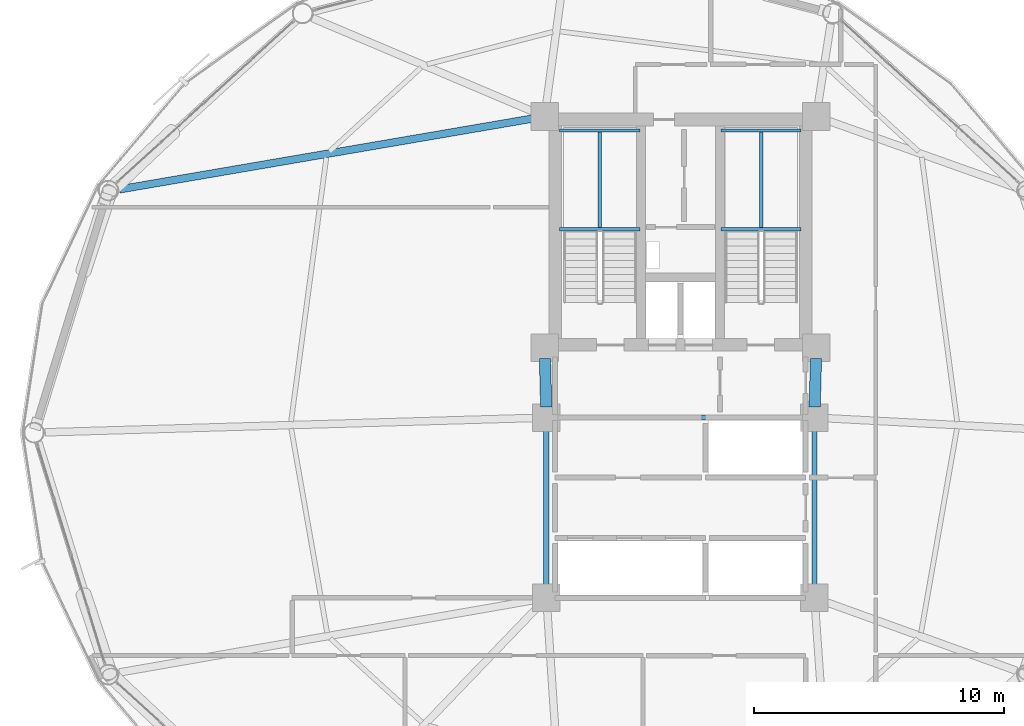
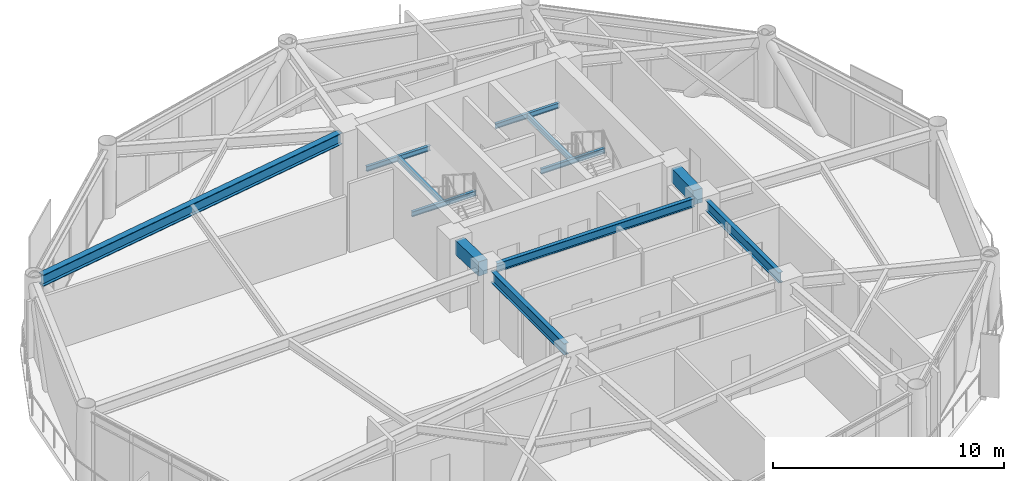
# One storey, part 11 of 24: 12 beams.
"""IFC4 building model written with IfcOpenShell, lengths in metres."""

from ifc_helpers import new_model, si_unit, direction, frame, origin, origin_2d, place, context, subcontext, project, spatial, rectangle, i_section, extrude, material, material_profile, profile_set, type_object, element, save


model = new_model("IFC4")

# Units and contexts
model_context = context("Model", 3, precision=1e-05, world=origin(), true_north=direction((0.0, 1.0)))
body_context = subcontext(model_context, "Body", "Model", "MODEL_VIEW")
ifc_project = project(units=[si_unit("LENGTHUNIT", "METRE"), si_unit("AREAUNIT", "SQUARE_METRE"), si_unit("VOLUMEUNIT", "CUBIC_METRE"), si_unit("PLANEANGLEUNIT", "RADIAN"), si_unit("MASSUNIT", "GRAM", prefix="KILO")], contexts=[model_context])

# Site, building, storey
site_placement = place(None, origin())
site = spatial("IfcSite", under=ifc_project, at=site_placement, CompositionType="ELEMENT")
building_placement = place(site_placement, origin())
building = spatial("IfcBuilding", under=site, at=building_placement, Name="Varnakorn Sky Granary", CompositionType="ELEMENT")
storey_placement = place(building_placement, frame((0.0, 0.0, 118.800048828125)))
storey = spatial("IfcBuildingStorey", under=building, at=storey_placement, Name="L29", CompositionType="ELEMENT", Elevation=118.800048828125)

# Beams
ifc_material_1 = material(Name="Steel S355JR", Category="steel")
ifc_material_profile_1 = material_profile(ifc_material_1, i_section(OverallWidth=0.2099609375, OverallDepth=0.550048828125, WebThickness=0.010986328125, FlangeThickness=0.01708984375, at=origin_2d()), Name="IPE 550")
ifc_profile_set_1 = profile_set([ifc_material_profile_1], Name="Steel S355JR")
beam_type_1 = type_object("IfcBeamType", Name="BM-JST-550", PredefinedType="JOIST", material=ifc_profile_set_1)
beam_1_placement = place(storey_placement, frame((8.35009765625, 0.179931640625, 3.364990234375), z_axis=(0.0, -1.0, 0.0), x_axis=(1.0, 0.0, 0.0)))
element("IfcBeam", 1, at=beam_1_placement, inside=storey, type_object=beam_type_1, Name="Core Spine Framing Beam 4 L29", PredefinedType="JOIST", context=body_context, shape_type="SweptSolid", body=[
    extrude(i_section(OverallWidth=0.2099609375, OverallDepth=0.550048828125, WebThickness=0.010986328125, FlangeThickness=0.01708984375, at=origin_2d()), origin(), (0.0, 0.0, 1.0), 6.35986328125),
])
ifc_material_profile_2 = material_profile(ifc_material_1, i_section(OverallWidth=0.219970703125, OverallDepth=0.60009765625, WebThickness=0.011962890625, FlangeThickness=0.01904296875, at=origin_2d()), Name="IPE 600")
ifc_profile_set_2 = profile_set([ifc_material_profile_2], Name="Steel S355JR")
beam_type_2 = type_object("IfcBeamType", Name="BM-JST-600", PredefinedType="JOIST", material=ifc_profile_set_2)
beam_2_placement = place(storey_placement, frame((-2.35009765625, 0.179931640625, 3.33984375), z_axis=(0.0, -1.0, 0.0), x_axis=(1.0, 0.0, 0.0)))
element("IfcBeam", 2, at=beam_2_placement, inside=storey, type_object=beam_type_2, Name="Core Spine Framing Beam 3 L29", PredefinedType="JOIST", context=body_context, shape_type="SweptSolid", body=[
    extrude(i_section(OverallWidth=0.219970703125, OverallDepth=0.60009765625, WebThickness=0.011962890625, FlangeThickness=0.01904296875, at=origin_2d()), origin(), (0.0, 0.0, 1.0), 6.35986328125),
])
ifc_material_2 = material(Name="Concrete C60/75", Category="concrete")
ifc_material_profile_3 = material_profile(ifc_material_2, rectangle(XDim=0.449951171875, YDim=0.75, at=origin_2d()), Name="RC 450x750")
ifc_profile_set_3 = profile_set([ifc_material_profile_3], Name="Concrete C60/75")
beam_type_3 = type_object("IfcBeamType", Name="BM-LIN-750", PredefinedType="LINTEL", material=ifc_profile_set_3)
for number, where, z_axis, x_axis, name in (
    (3, (-2.409423828125, 2.960205078125, 3.264892578125), (0.025158763514, -0.999683468213, 0.0), (0.999683468213, 0.025158763514, 0.0), "Core Spine Framing Beam 1 L29"),
    (4, (8.409423828125, 2.960205078125, 3.264892578125), (-0.025158763514, -0.999683468213, 0.0), (0.999683468213, -0.025158763514, 0.0), "Core Spine Framing Beam 2 L29"),
):
    element("IfcBeam", number, at=place(storey_placement, frame(where, z_axis=z_axis, x_axis=x_axis)), inside=storey, type_object=beam_type_3, Name=name, PredefinedType="LINTEL", context=body_context, shape_type="SweptSolid", body=[
        extrude(rectangle(XDim=0.449951171875, YDim=0.75, at=origin_2d()), origin(), (0.0, 0.0, 1.0), 1.94091796875),
    ])
ifc_material_profile_4 = material_profile(ifc_material_1, i_section(OverallWidth=0.135009765625, OverallDepth=0.27001953125, WebThickness=0.006591796875, FlangeThickness=0.01025390625, at=origin_2d()), Name="IPE 270")
ifc_profile_set_4 = profile_set([ifc_material_profile_4], Name="Steel S355JR")
beam_type_4 = type_object("IfcBeamType", Name="BM-LND-270", PredefinedType="BEAM", material=ifc_profile_set_4)
for number, where, z_axis, x_axis, name in (
    (5, (-1.820068359375, 8.1201171875, 1.614990234375), (1.0, 0.0, 0.0), (0.0, 1.0, 0.0), "Stair ST-1 Landing Trimmer Beam A L29-1"),
    (6, (-1.820068359375, 12.06005859375, 1.614990234375), (1.0, 0.0, 0.0), (0.0, 1.0, 0.0), "Stair ST-1 Landing Trimmer Beam B L29-1"),
):
    element("IfcBeam", number, at=place(storey_placement, frame(where, z_axis=z_axis, x_axis=x_axis)), inside=storey, type_object=beam_type_4, Name=name, PredefinedType="BEAM", context=body_context, shape_type="SweptSolid", body=[
        extrude(i_section(OverallWidth=0.135009765625, OverallDepth=0.27001953125, WebThickness=0.006591796875, FlangeThickness=0.01025390625, at=origin_2d()), origin(), (0.0, 0.0, 1.0), 3.199951171875),
    ])
beam_3_placement = place(storey_placement, frame((-0.219970703125, 8.1201171875, 1.614990234375), z_axis=(0.0, 1.0, 0.0), x_axis=(-1.0, 0.0, 0.0)))
element("IfcBeam", 7, at=beam_3_placement, inside=storey, type_object=beam_type_4, Name="Stair ST-1 Landing Cross Beam C L29-1", PredefinedType="BEAM", context=body_context, shape_type="SweptSolid", body=[
    extrude(i_section(OverallWidth=0.135009765625, OverallDepth=0.27001953125, WebThickness=0.006591796875, FlangeThickness=0.01025390625, at=origin_2d()), origin(), (0.0, 0.0, 1.0), 3.93994140625),
])
for number, where, z_axis, x_axis, name in (
    (8, (4.6201171875, 8.1201171875, 1.614990234375), (1.0, 0.0, 0.0), (0.0, 1.0, 0.0), "Stair ST-2 Landing Trimmer Beam A L29-1"),
    (9, (4.6201171875, 12.06005859375, 1.614990234375), (1.0, 0.0, 0.0), (0.0, 1.0, 0.0), "Stair ST-2 Landing Trimmer Beam B L29-1"),
):
    element("IfcBeam", number, at=place(storey_placement, frame(where, z_axis=z_axis, x_axis=x_axis)), inside=storey, type_object=beam_type_4, Name=name, PredefinedType="BEAM", context=body_context, shape_type="SweptSolid", body=[
        extrude(i_section(OverallWidth=0.135009765625, OverallDepth=0.27001953125, WebThickness=0.006591796875, FlangeThickness=0.01025390625, at=origin_2d()), origin(), (0.0, 0.0, 1.0), 3.199951171875),
    ])
beam_4_placement = place(storey_placement, frame((6.219970703125, 8.1201171875, 1.614990234375), z_axis=(0.0, 1.0, 0.0), x_axis=(-1.0, 0.0, 0.0)))
element("IfcBeam", 10, at=beam_4_placement, inside=storey, type_object=beam_type_4, Name="Stair ST-2 Landing Cross Beam C L29-1", PredefinedType="BEAM", context=body_context, shape_type="SweptSolid", body=[
    extrude(i_section(OverallWidth=0.135009765625, OverallDepth=0.27001953125, WebThickness=0.006591796875, FlangeThickness=0.01025390625, at=origin_2d()), origin(), (0.0, 0.0, 1.0), 3.93994140625),
])
ifc_material_profile_5 = material_profile(ifc_material_1, i_section(OverallWidth=0.300048828125, OverallDepth=0.60009765625, WebThickness=0.015380859375, FlangeThickness=0.030029296875, at=origin_2d()), Name="HE 600 B")
ifc_profile_set_5 = profile_set([ifc_material_profile_5], Name="Steel S355JR")
beam_type_5 = type_object("IfcBeamType", Name="BM-RAD-Z2", PredefinedType="BEAM", material=ifc_profile_set_5)
beam_5_placement = place(storey_placement, frame((-2.833984375, 12.549072265625, 3.33984375), z_axis=(-0.98562052692, -0.168973894181, 0.0), x_axis=(0.168973894181, -0.98562052692, 0.0)))
element("IfcBeam", 11, at=beam_5_placement, inside=storey, type_object=beam_type_5, Name="Radial Floor Girder RG06 L29", PredefinedType="BEAM", context=body_context, shape_type="SweptSolid", body=[
    extrude(i_section(OverallWidth=0.300048828125, OverallDepth=0.60009765625, WebThickness=0.015380859375, FlangeThickness=0.030029296875, at=origin_2d()), origin(), (0.0, 0.0, 1.0), 16.807861328125),
])
ifc_material_profile_6 = material_profile(ifc_material_1, i_section(OverallWidth=0.18994140625, OverallDepth=0.449951171875, WebThickness=0.009521484375, FlangeThickness=0.0146484375, at=origin_2d()), Name="IPE 450")
ifc_profile_set_6 = profile_set([ifc_material_profile_6], Name="Steel S355JR")
beam_type_6 = type_object("IfcBeamType", Name="BM-SEC-Z2", PredefinedType="BEAM", material=ifc_profile_set_6)
beam_6_placement = place(storey_placement, frame((-1.929931640625, 0.60009765625, 3.4150390625), z_axis=(1.0, 0.0, 0.0), x_axis=(0.0, 1.0, 0.0)))
element("IfcBeam", 12, at=beam_6_placement, inside=storey, type_object=beam_type_6, Name="Core Spine Framing Beam 5 L29", PredefinedType="BEAM", context=body_context, shape_type="SweptSolid", body=[
    extrude(i_section(OverallWidth=0.18994140625, OverallDepth=0.449951171875, WebThickness=0.009521484375, FlangeThickness=0.0146484375, at=origin_2d()), origin(), (0.0, 0.0, 1.0), 9.85986328125),
])

save(model, "model.ifc")
